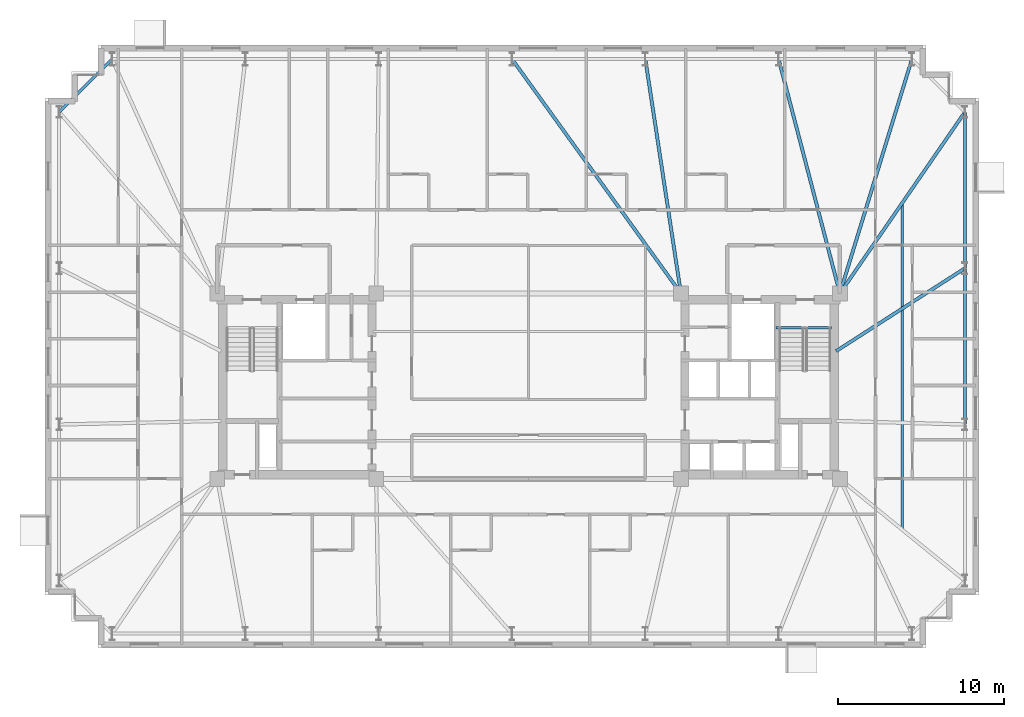
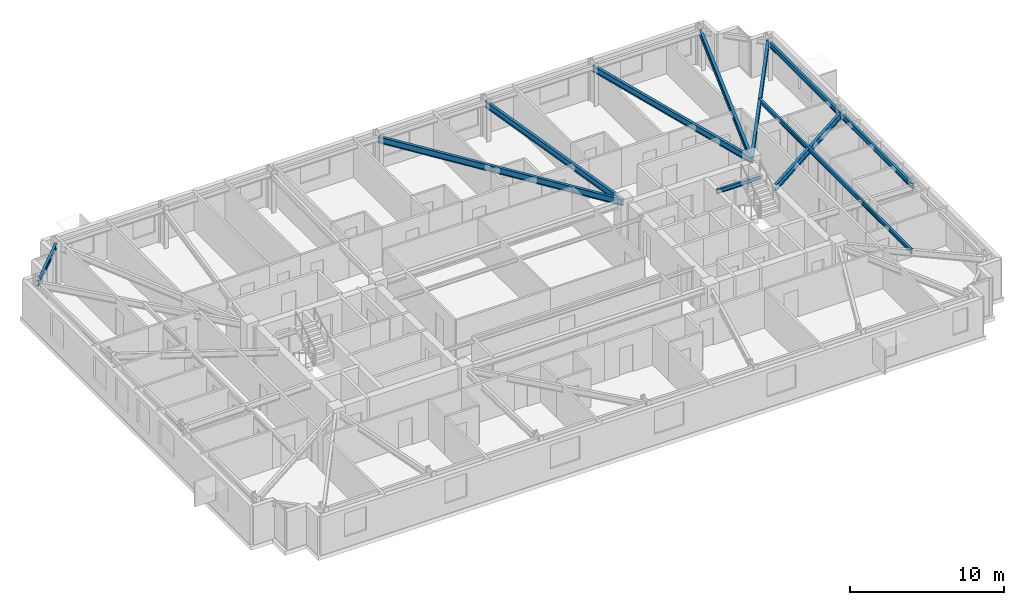
# One storey, part 6 of 18: 11 beams.
"""IFC4 building model written with IfcOpenShell, lengths in metres."""

from ifc_helpers import new_model, si_unit, direction, frame, origin, origin_2d, place, context, subcontext, project, spatial, i_section, extrude, material, material_profile, profile_set, type_object, element, save


model = new_model("IFC4")

# Units and contexts
model_context = context("Model", 3, precision=1e-05, world=origin(), true_north=direction((0.0, 1.0)))
body_context = subcontext(model_context, "Body", "Model", "MODEL_VIEW")
ifc_project = project(units=[si_unit("LENGTHUNIT", "METRE"), si_unit("AREAUNIT", "SQUARE_METRE"), si_unit("VOLUMEUNIT", "CUBIC_METRE"), si_unit("PLANEANGLEUNIT", "RADIAN"), si_unit("MASSUNIT", "GRAM", prefix="KILO")], contexts=[model_context])

# Site, building, storey
site_placement = place(None, origin())
site = spatial("IfcSite", under=ifc_project, at=site_placement, CompositionType="ELEMENT")
building_placement = place(site_placement, origin())
building = spatial("IfcBuilding", under=site, at=building_placement, Name="Qobustan Lattice House", CompositionType="ELEMENT")
storey_placement = place(building_placement, frame((0.0, 0.0, 134.35009765625)))
storey = spatial("IfcBuildingStorey", under=building, at=storey_placement, Name="L37", CompositionType="ELEMENT", Elevation=134.35009765625)

# Beams
ifc_material_1 = material(Name="Steel S355", Category="steel")
ifc_material_profile_1 = material_profile(ifc_material_1, i_section(OverallWidth=0.199951171875, OverallDepth=0.5, WebThickness=0.01025390625, FlangeThickness=0.01611328125, FilletRadius=0.02099609375, at=origin_2d()), Name="IPE500")
ifc_profile_set_1 = profile_set([ifc_material_profile_1], Name="Steel S355")
beam_type_1 = type_object("IfcBeamType", Name="BM-FLG-IPE500", PredefinedType="USERDEFINED", material=ifc_profile_set_1)
beam_1_placement = place(storey_placement, frame((-0.9853515625, 19.729736328125, 2.789794921875), z_axis=(0.584755393146, -0.811209670916, 0.0), x_axis=(0.811209670916, 0.584755393146, 0.0)))
element("IfcBeam", 1, at=beam_1_placement, inside=storey, type_object=beam_type_1, Name="L37 primary floor girder RAD-N4", ObjectType="GIRDER", PredefinedType="USERDEFINED", context=body_context, shape_type="SweptSolid", body=[
    extrude(i_section(OverallWidth=0.199951171875, OverallDepth=0.5, WebThickness=0.01025390625, FlangeThickness=0.01611328125, FilletRadius=0.02099609375, at=origin_2d()), origin(), (0.0, 0.0, 1.0), 17.39306640625),
])
beam_2_placement = place(storey_placement, frame((7.0537109375, 19.725341796875, 2.789794921875), z_axis=(0.150225226731, -0.988651799803, 0.0), x_axis=(0.988651799803, 0.150225226731, 0.0)))
element("IfcBeam", 2, at=beam_2_placement, inside=storey, type_object=beam_type_1, Name="L37 primary floor girder RAD-N3", ObjectType="GIRDER", PredefinedType="USERDEFINED", context=body_context, shape_type="SweptSolid", body=[
    extrude(i_section(OverallWidth=0.199951171875, OverallDepth=0.5, WebThickness=0.01025390625, FlangeThickness=0.01611328125, FilletRadius=0.02099609375, at=origin_2d()), origin(), (0.0, 0.0, 1.0), 14.262451171875),
])
beam_3_placement = place(storey_placement, frame((15.106201171875, 19.725830078125, 2.789794921875), z_axis=(0.252989153576, -0.967469114842, 0.0), x_axis=(0.967469114842, 0.252989153576, 0.0)))
element("IfcBeam", 3, at=beam_3_placement, inside=storey, type_object=beam_type_1, Name="L37 primary floor girder RAD-N2", ObjectType="GIRDER", PredefinedType="USERDEFINED", context=body_context, shape_type="SweptSolid", body=[
    extrude(i_section(OverallWidth=0.199951171875, OverallDepth=0.5, WebThickness=0.01025390625, FlangeThickness=0.01611328125, FilletRadius=0.02099609375, at=origin_2d()), origin(), (0.0, 0.0, 1.0), 14.57568359375),
])
beam_4_placement = place(storey_placement, frame((23.142578125, 19.72607421875, 2.789794921875), z_axis=(-0.293840483469, -0.955854471285, 0.0), x_axis=(0.955854471285, -0.293840483469, 0.0)))
element("IfcBeam", 4, at=beam_4_placement, inside=storey, type_object=beam_type_1, Name="L37 primary floor girder RAD-N1E", ObjectType="GIRDER", PredefinedType="USERDEFINED", context=body_context, shape_type="SweptSolid", body=[
    extrude(i_section(OverallWidth=0.199951171875, OverallDepth=0.5, WebThickness=0.01025390625, FlangeThickness=0.01611328125, FilletRadius=0.02099609375, at=origin_2d()), origin(), (0.0, 0.0, 1.0), 14.753662109375),
])
beam_5_placement = place(storey_placement, frame((26.335693359375, 16.529296875, 2.789794921875), z_axis=(-0.567643395011, -0.82327454479, 0.0), x_axis=(0.82327454479, -0.567643395011, 0.0)))
element("IfcBeam", 5, at=beam_5_placement, inside=storey, type_object=beam_type_1, Name="L37 primary floor girder RAD-E4", ObjectType="GIRDER", PredefinedType="USERDEFINED", context=body_context, shape_type="SweptSolid", body=[
    extrude(i_section(OverallWidth=0.199951171875, OverallDepth=0.5, WebThickness=0.01025390625, FlangeThickness=0.01611328125, FilletRadius=0.02099609375, at=origin_2d()), origin(), (0.0, 0.0, 1.0), 13.25048828125),
])
beam_6_placement = place(storey_placement, frame((26.3291015625, 7.103271484375, 2.789794921875), z_axis=(-0.841058920931, -0.540943519715, 0.0), x_axis=(0.540943519715, -0.841058920931, 0.0)))
element("IfcBeam", 6, at=beam_6_placement, inside=storey, type_object=beam_type_1, Name="L37 primary floor girder RAD-E3", ObjectType="GIRDER", PredefinedType="USERDEFINED", context=body_context, shape_type="SweptSolid", body=[
    extrude(i_section(OverallWidth=0.199951171875, OverallDepth=0.5, WebThickness=0.01025390625, FlangeThickness=0.01611328125, FilletRadius=0.02099609375, at=origin_2d()), origin(), (0.0, 0.0, 1.0), 9.22412109375),
])
ifc_material_2 = material(Name="Steel S355", Category="steel")
ifc_material_profile_2 = material_profile(ifc_material_2, i_section(OverallWidth=0.159912109375, OverallDepth=0.330078125, WebThickness=0.007568359375, FlangeThickness=0.011474609375, FilletRadius=0.01806640625, at=origin_2d()), Name="IPE330")
ifc_profile_set_2 = profile_set([ifc_material_profile_2], Name="Steel S355")
beam_type_2 = type_object("IfcBeamType", Name="BM-SEC-IPE330", PredefinedType="BEAM", material=ifc_profile_set_2)
beam_7_placement = place(storey_placement, frame((22.574951171875, 11.074951171875, 2.875), z_axis=(0.0, -1.0, 0.0), x_axis=(1.0, 0.0, 0.0)))
element("IfcBeam", 7, at=beam_7_placement, inside=storey, type_object=beam_type_2, Name="L37 east wing secondary beam", PredefinedType="BEAM", context=body_context, shape_type="SweptSolid", body=[
    extrude(i_section(OverallWidth=0.159912109375, OverallDepth=0.330078125, WebThickness=0.007568359375, FlangeThickness=0.011474609375, FilletRadius=0.01806640625, at=origin_2d()), origin(), (0.0, 0.0, 1.0), 19.75),
])
ifc_material_3 = material(Name="Steel S355", Category="steel")
ifc_material_profile_3 = material_profile(ifc_material_3, i_section(OverallWidth=0.159912109375, OverallDepth=0.330078125, WebThickness=0.007568359375, FlangeThickness=0.011474609375, FilletRadius=0.01806640625, at=origin_2d()), Name="IPE330")
ifc_profile_set_3 = profile_set([ifc_material_profile_3], Name="Steel S355")
beam_type_3 = type_object("IfcBeamType", Name="BM-SPD-IPE330", PredefinedType="SPANDREL", material=ifc_profile_set_3)
beam_8_placement = place(storey_placement, frame((14.949951171875, 3.52001953125, 2.875), z_axis=(1.0, 0.0, 0.0), x_axis=(0.0, 1.0, 0.0)))
element("IfcBeam", 8, at=beam_8_placement, inside=storey, type_object=beam_type_3, Name="L37 east stair landing trimmer beam", PredefinedType="SPANDREL", context=body_context, shape_type="SweptSolid", body=[
    extrude(i_section(OverallWidth=0.159912109375, OverallDepth=0.330078125, WebThickness=0.007568359375, FlangeThickness=0.011474609375, FilletRadius=0.01806640625, at=origin_2d()), origin(), (0.0, 0.0, 1.0), 3.35009765625),
])
ifc_material_4 = material(Name="Steel S355", Category="steel")
ifc_material_profile_4 = material_profile(ifc_material_4, i_section(OverallWidth=0.179931640625, OverallDepth=0.39990234375, WebThickness=0.008544921875, FlangeThickness=0.013427734375, FilletRadius=0.02099609375, at=origin_2d()), Name="IPE400")
ifc_profile_set_4 = profile_set([ifc_material_profile_4], Name="Steel S355")
beam_type_4 = type_object("IfcBeamType", Name="BM-SPD-IPE400", PredefinedType="SPANDREL", material=ifc_profile_set_4)
beam_9_placement = place(storey_placement, frame((26.35009765625, -2.291748046875, 2.83984375), z_axis=(0.0, 1.0, 0.0), x_axis=(-1.0, 0.0, 0.0)))
element("IfcBeam", 9, at=beam_9_placement, inside=storey, type_object=beam_type_4, Name="L37 perimeter spandrel E2-E3", PredefinedType="SPANDREL", context=body_context, shape_type="SweptSolid", body=[
    extrude(i_section(OverallWidth=0.179931640625, OverallDepth=0.39990234375, WebThickness=0.008544921875, FlangeThickness=0.013427734375, FilletRadius=0.02099609375, at=origin_2d()), origin(), (0.0, 0.0, 1.0), 9.383544921875),
])
beam_10_placement = place(storey_placement, frame((26.35009765625, 7.1416015625, 2.83984375), z_axis=(0.0, 1.0, 0.0), x_axis=(-1.0, 0.0, 0.0)))
element("IfcBeam", 10, at=beam_10_placement, inside=storey, type_object=beam_type_4, Name="L37 perimeter spandrel E3-E4", PredefinedType="SPANDREL", context=body_context, shape_type="SweptSolid", body=[
    extrude(i_section(OverallWidth=0.179931640625, OverallDepth=0.39990234375, WebThickness=0.008544921875, FlangeThickness=0.013427734375, FilletRadius=0.02099609375, at=origin_2d()), origin(), (0.0, 0.0, 1.0), 9.38330078125),
])
beam_11_placement = place(storey_placement, frame((-25.167724609375, 19.732421875, 2.83984375), z_axis=(-0.707079505568, -0.707134055753, 0.0), x_axis=(0.707134055753, -0.707079505568, 0.0)))
element("IfcBeam", 11, at=beam_11_placement, inside=storey, type_object=beam_type_4, Name="L37 perimeter spandrel N7-W1", PredefinedType="SPANDREL", context=body_context, shape_type="SweptSolid", body=[
    extrude(i_section(OverallWidth=0.179931640625, OverallDepth=0.39990234375, WebThickness=0.008544921875, FlangeThickness=0.013427734375, FilletRadius=0.02099609375, at=origin_2d()), origin(), (0.0, 0.0, 1.0), 4.4755859375),
])

save(model, "model.ifc")
